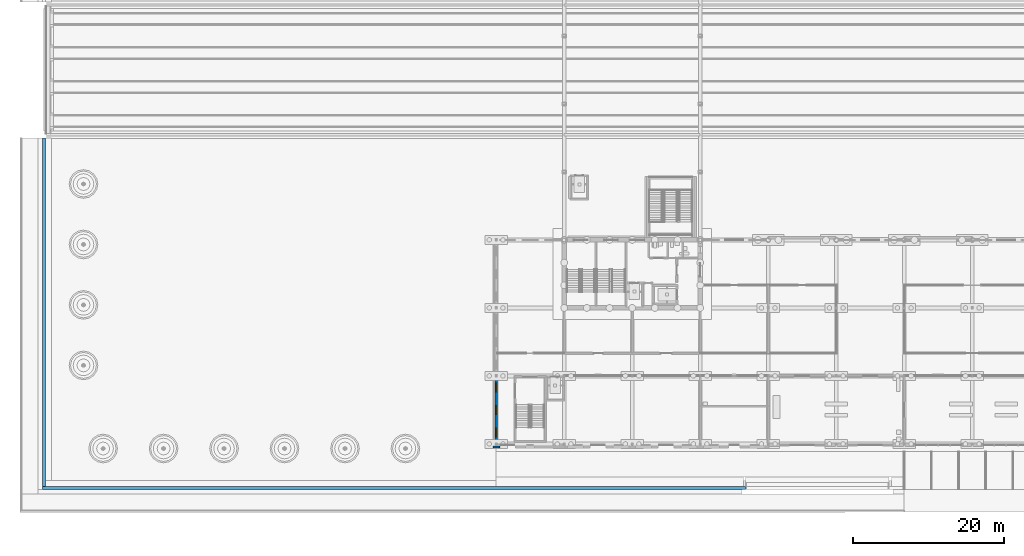
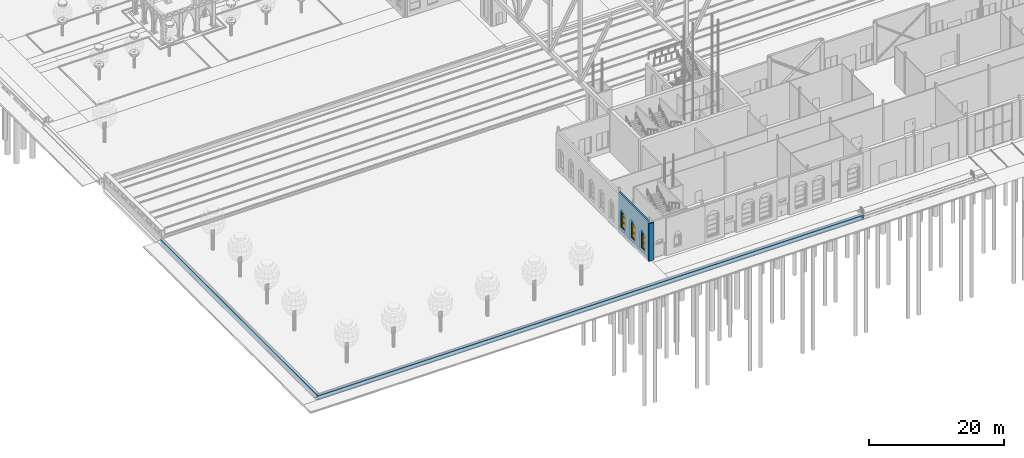
# One storey, part 86 of 250: 4 walls, 3 windows, 3 openings.
"""IFC4 building model written with IfcOpenShell, lengths in metres."""

from ifc_helpers import new_model, si_unit, direction, frame, frame_2d, origin, place, context, subcontext, project, spatial, polyline, rectangle, outline, extrude, material, layer, layer_set, type_object, element, fill, save


model = new_model("IFC4")

# Units and contexts
model_context = context("Model", 3, precision=1e-05, world=origin(), true_north=direction((0.0, 1.0)))
body_context = subcontext(model_context, "Body", "Model", "MODEL_VIEW")
ifc_project = project(units=[si_unit("LENGTHUNIT", "METRE"), si_unit("AREAUNIT", "SQUARE_METRE"), si_unit("VOLUMEUNIT", "CUBIC_METRE"), si_unit("PLANEANGLEUNIT", "RADIAN"), si_unit("MASSUNIT", "GRAM", prefix="KILO")], contexts=[model_context])

# Site, building, storey
site_placement = place(None, origin())
site = spatial("IfcSite", under=ifc_project, at=site_placement, CompositionType="ELEMENT")
building_placement = place(site_placement, origin())
building = spatial("IfcBuilding", under=site, at=building_placement, Name="Baradari Gate Terminus", CompositionType="ELEMENT")
storey_placement = place(building_placement, origin())
storey = spatial("IfcBuildingStorey", under=building, at=storey_placement, Name="L00", CompositionType="ELEMENT", Elevation=0.0)

# Walls
ifc_material_1 = material(Name="Laterite masonry", Category="masonry")
ifc_layer_1 = layer(ifc_material_1, 0.25)
ifc_layer_set_1 = layer_set([ifc_layer_1], Name="Laterite masonry")
wall_type_1 = type_object("IfcWallType", Name="Laterite masonry wall WP-1 250", PredefinedType="SOLIDWALL", material=ifc_layer_set_1)
wall_1_placement = place(storey_placement, frame((62.590087890625, 8.60498046875, 0.0), z_axis=(0.0, 0.0, 1.0), x_axis=(1.0, 0.0, 0.0)))
element("IfcWall", 1, at=wall_1_placement, inside=storey, type_object=wall_type_1, Name="Front course SS 1a 1", PredefinedType="SOLIDWALL", context=body_context, shape_type="SweptSolid", body=[
    extrude(outline(polyline([(0.0, 0.0), (0.860107421875, 0.0), (0.860107421875, 6.767333984375), (0.0, 6.767333984375), (0.0, 0.0)])), frame((0.0, 0.125, 0.0), z_axis=(0.0, -1.0, 0.0), x_axis=(1.0, 0.0, 0.0)), (0.0, 0.0, 1.0), 0.25),
])
ifc_material_2 = material(Name="Sandstone masonry", Category="masonry")
ifc_layer_2 = layer(ifc_material_2, 0.39990234375)
ifc_layer_set_2 = layer_set([ifc_layer_2], Name="Sandstone masonry")
wall_type_2 = type_object("IfcWallType", Name="Plinth retaining wall KW-1 400", PredefinedType="SOLIDWALL", material=ifc_layer_set_2)
wall_2_placement = place(storey_placement, frame((3.0, 3.199951171875, -0.800048828125), z_axis=(0.0, 0.0, 1.0), x_axis=(1.0, 0.0, 0.0)))
element("IfcWall", 2, at=wall_2_placement, inside=storey, type_object=wall_type_2, Name="Plinth retaining wall S1", PredefinedType="SOLIDWALL", context=body_context, shape_type="SweptSolid", body=[
    extrude(rectangle(XDim=93.0, YDim=0.39990234375, at=frame_2d((46.5, 0.0))), origin(), (0.0, 0.0, 1.0), 0.800048828125),
])
wall_3_placement = place(storey_placement, frame((3.199951171875, 3.39990234375, -0.800048828125), z_axis=(0.0, 0.0, 1.0), x_axis=(0.0, 1.0, 0.0)))
element("IfcWall", 3, at=wall_3_placement, inside=storey, type_object=wall_type_2, Name="Plinth retaining wall W1", PredefinedType="SOLIDWALL", context=body_context, shape_type="SweptSolid", body=[
    extrude(rectangle(XDim=46.10009765625, YDim=0.39990234375, at=frame_2d((23.050048828125, 0.0))), origin(), (0.0, 0.0, 1.0), 0.800048828125),
])

# Wall, openings, windows
ifc_material_3 = material(Name="Sandstone masonry", Category="masonry")
ifc_layer_3 = layer(ifc_material_3, 0.320068359375)
ifc_layer_set_3 = layer_set([ifc_layer_3], Name="Sandstone masonry")
wall_type_3 = type_object("IfcWallType", Name="Sandstone masonry wall WS-3 320", PredefinedType="SOLIDWALL", material=ifc_layer_set_3)
wall_4_placement = place(storey_placement, frame((63.0, 9.126953125, 0.0), z_axis=(0.0, 0.0, 1.0), x_axis=(0.0, 1.0, 0.0)))
wall_4 = element("IfcWall", 4, at=wall_4_placement, inside=storey, type_object=wall_type_3, Name="west end wall SW bay 2 L00", PredefinedType="SOLIDWALL", context=body_context, shape_type="SweptSolid", body=[
    extrude(rectangle(XDim=8.742919921875, YDim=0.320068359375, at=frame_2d((4.37158203125, 0.0))), origin(), (0.0, 0.0, 1.0), 6.767333984375),
])
opening_1_placement = place(wall_4_placement, frame((0.77294921875, 0.0, 0.89990234375)))
opening_1 = element("IfcOpeningElement", 5, at=opening_1_placement, cuts=wall_4, Name="Opening W7", PredefinedType="OPENING", context=body_context, shape_type="SweptSolid", body=[
    extrude(rectangle(XDim=1.199951171875, YDim=2.699951171875, at=frame_2d((0.60009765625, 1.35009765625))), frame((0.0, 0.169921875, 0.0), z_axis=(0.0, -1.0, 0.0), x_axis=(1.0, 0.0, 0.0)), (0.0, 0.0, 1.0), 0.340087890625),
])
opening_2_placement = place(wall_4_placement, frame((3.77294921875, 0.0, 0.89990234375)))
opening_2 = element("IfcOpeningElement", 6, at=opening_2_placement, cuts=wall_4, Name="Opening W7", PredefinedType="OPENING", context=body_context, shape_type="SweptSolid", body=[
    extrude(rectangle(XDim=1.199951171875, YDim=2.699951171875, at=frame_2d((0.60009765625, 1.35009765625))), frame((0.0, 0.169921875, 0.0), z_axis=(0.0, -1.0, 0.0), x_axis=(1.0, 0.0, 0.0)), (0.0, 0.0, 1.0), 0.340087890625),
])
opening_3_placement = place(wall_4_placement, frame((6.77294921875, 0.0, 0.89990234375)))
opening_3 = element("IfcOpeningElement", 7, at=opening_3_placement, cuts=wall_4, Name="Opening W7", PredefinedType="OPENING", context=body_context, shape_type="SweptSolid", body=[
    extrude(rectangle(XDim=1.199951171875, YDim=2.699951171875, at=frame_2d((0.60009765625, 1.35009765625))), frame((0.0, 0.169921875, 0.0), z_axis=(0.0, -1.0, 0.0), x_axis=(1.0, 0.0, 0.0)), (0.0, 0.0, 1.0), 0.340087890625),
])
ifc_material_4 = material(Name="Aluminium 6063-T6", Category="aluminium")
window_type = type_object("IfcWindowType", Name="Service block window W7 1200x2700", PartitioningType="DOUBLE_PANEL_HORIZONTAL", PredefinedType="WINDOW", material=ifc_material_4)
window_1_placement = place(opening_1_placement, origin())
window_1 = element("IfcWindow", 8, at=window_1_placement, inside=storey, type_object=window_type, Name="Window W7 SW/01", OverallHeight=2.7, OverallWidth=1.2, PartitioningType="DOUBLE_PANEL_HORIZONTAL", PredefinedType="WINDOW", context=body_context, shape_type="SweptSolid", body=[
    extrude(outline(polyline([(0.0, 0.0), (1.199951171875, 0.0), (1.199951171875, 1.969970703125), (1.195068359375, 2.05517578125), (1.180419921875, 2.13916015625), (1.15625, 2.220947265625), (1.123046875, 2.29931640625), (1.0810546875, 2.37353515625), (1.03076171875, 2.4423828125), (0.972900390625, 2.505126953125), (0.908203125, 2.560791015625), (0.837646484375, 2.608642578125), (0.76220703125, 2.648193359375), (0.6826171875, 2.6787109375), (0.599853515625, 2.699951171875), (0.517333984375, 2.6787109375), (0.437744140625, 2.648193359375), (0.3623046875, 2.608642578125), (0.291748046875, 2.560791015625), (0.22705078125, 2.505126953125), (0.169189453125, 2.4423828125), (0.118896484375, 2.37353515625), (0.076904296875, 2.29931640625), (0.043701171875, 2.220947265625), (0.01953125, 2.13916015625), (0.0048828125, 2.05517578125), (0.0, 1.969970703125), (0.0, 0.0)]), holes=[polyline([(0.070068359375, 0.070068359375), (1.1298828125, 0.070068359375), (1.1298828125, 1.969970703125), (1.12548828125, 2.0458984375), (1.11279296875, 2.12109375), (1.091552734375, 2.1943359375), (1.062255859375, 2.2646484375), (1.025390625, 2.3310546875), (0.98095703125, 2.39306640625), (0.929931640625, 2.44970703125), (0.873046875, 2.500244140625), (0.810791015625, 2.5439453125), (0.743896484375, 2.58056640625), (0.67333984375, 2.609375), (0.60009765625, 2.6298828125), (0.526611328125, 2.609375), (0.4560546875, 2.58056640625), (0.38916015625, 2.5439453125), (0.326904296875, 2.500244140625), (0.27001953125, 2.44970703125), (0.218994140625, 2.39306640625), (0.174560546875, 2.3310546875), (0.1376953125, 2.2646484375), (0.1083984375, 2.1943359375), (0.087158203125, 2.12109375), (0.074462890625, 2.0458984375), (0.070068359375, 1.969970703125), (0.070068359375, 0.070068359375)])]), frame((0.0, 0.030029296875, 0.0), z_axis=(0.0, -1.0, 0.0), x_axis=(1.0, 0.0, 0.0)), (0.0, 0.0, 1.0), 0.06005859375),
    extrude(outline(polyline([(0.0, 1.969970703125), (0.0048828125, 2.05517578125), (0.01953125, 2.13916015625), (0.043701171875, 2.220947265625), (0.076904296875, 2.29931640625), (0.118896484375, 2.37353515625), (0.169189453125, 2.4423828125), (0.22705078125, 2.505126953125), (0.291748046875, 2.560791015625), (0.3623046875, 2.608642578125), (0.437744140625, 2.648193359375), (0.517333984375, 2.6787109375), (0.599853515625, 2.699951171875), (0.0, 2.699951171875), (0.0, 1.969970703125)])), frame((0.0, 0.028076171875, 0.0), z_axis=(0.0, -1.0, 0.0), x_axis=(1.0, 0.0, 0.0)), (0.0, 0.0, 1.0), 0.05615234375),
    extrude(outline(polyline([(0.599853515625, 2.699951171875), (0.6826171875, 2.6787109375), (0.76220703125, 2.648193359375), (0.837646484375, 2.608642578125), (0.908203125, 2.560791015625), (0.972900390625, 2.505126953125), (1.03076171875, 2.4423828125), (1.0810546875, 2.37353515625), (1.123046875, 2.29931640625), (1.15625, 2.220947265625), (1.180419921875, 2.13916015625), (1.195068359375, 2.05517578125), (1.199951171875, 1.969970703125), (1.199951171875, 2.699951171875), (0.599853515625, 2.699951171875)])), frame((0.0, 0.027099609375, 0.0), z_axis=(0.0, -1.0, 0.0), x_axis=(1.0, 0.0, 0.0)), (0.0, 0.0, 1.0), 0.05419921875),
    extrude(outline(polyline([(1.127685546875, 2.010009765625), (0.072265625, 2.010009765625), (0.070068359375, 1.969970703125), (0.070068359375, 1.929931640625), (1.1298828125, 1.929931640625), (1.1298828125, 1.969970703125), (1.127685546875, 2.010009765625)])), frame((0.0, 0.02099609375, 0.0), z_axis=(0.0, -1.0, 0.0), x_axis=(1.0, 0.0, 0.0)), (0.0, 0.0, 1.0), 0.0419921875),
    extrude(rectangle(XDim=1.059814453125, YDim=0.0400390625, at=frame_2d((0.60009765625, 1.0))), frame((0.0, 0.021484375, 0.0), z_axis=(0.0, -1.0, 0.0), x_axis=(1.0, 0.0, 0.0)), (0.0, 0.0, 1.0), 0.04296875),
    extrude(outline(polyline([(0.070068359375, 0.070068359375), (1.1298828125, 0.070068359375), (1.1298828125, 0.97998046875), (0.070068359375, 0.97998046875), (0.070068359375, 0.070068359375)]), holes=[polyline([(0.10009765625, 0.10009765625), (1.099853515625, 0.10009765625), (1.099853515625, 0.949951171875), (0.10009765625, 0.949951171875), (0.10009765625, 0.10009765625)])]), frame((0.0, 0.0224609375, 0.0), z_axis=(0.0, -1.0, 0.0), x_axis=(1.0, 0.0, 0.0)), (0.0, 0.0, 1.0), 0.044921875),
    extrude(rectangle(XDim=0.999755859375, YDim=0.849853515625, at=frame_2d((0.60009765625, 0.52490234375))), frame((0.0, 0.006103515625, 0.0), z_axis=(0.0, -1.0, 0.0), x_axis=(1.0, 0.0, 0.0)), (0.0, 0.0, 1.0), 0.01220703125),
    extrude(outline(polyline([(0.070068359375, 1.02001953125), (1.1298828125, 1.02001953125), (1.1298828125, 1.929931640625), (0.070068359375, 1.929931640625), (0.070068359375, 1.02001953125)]), holes=[polyline([(0.10009765625, 1.050048828125), (1.099853515625, 1.050048828125), (1.099853515625, 1.89990234375), (0.10009765625, 1.89990234375), (0.10009765625, 1.050048828125)])]), frame((0.0, 0.0224609375, 0.0), z_axis=(0.0, -1.0, 0.0), x_axis=(1.0, 0.0, 0.0)), (0.0, 0.0, 1.0), 0.044921875),
    extrude(rectangle(XDim=0.999755859375, YDim=0.849853515625, at=frame_2d((0.60009765625, 1.47509765625))), frame((0.0, 0.006103515625, 0.0), z_axis=(0.0, -1.0, 0.0), x_axis=(1.0, 0.0, 0.0)), (0.0, 0.0, 1.0), 0.01220703125),
    extrude(outline(polyline([(0.072265625, 2.010009765625), (1.127685546875, 2.010009765625), (1.12548828125, 2.0458984375), (1.11279296875, 2.12109375), (1.091552734375, 2.1943359375), (1.062255859375, 2.2646484375), (1.025390625, 2.3310546875), (0.98095703125, 2.39306640625), (0.929931640625, 2.44970703125), (0.873046875, 2.500244140625), (0.810791015625, 2.5439453125), (0.743896484375, 2.58056640625), (0.67333984375, 2.609375), (0.60009765625, 2.6298828125), (0.526611328125, 2.609375), (0.4560546875, 2.58056640625), (0.38916015625, 2.5439453125), (0.326904296875, 2.500244140625), (0.27001953125, 2.44970703125), (0.218994140625, 2.39306640625), (0.174560546875, 2.3310546875), (0.1376953125, 2.2646484375), (0.1083984375, 2.1943359375), (0.087158203125, 2.12109375), (0.074462890625, 2.0458984375), (0.072265625, 2.010009765625)]), holes=[polyline([(0.10986328125, 2.044921875), (0.121337890625, 2.11328125), (0.141357421875, 2.1826171875), (0.169189453125, 2.249267578125), (0.2041015625, 2.312255859375), (0.246337890625, 2.37109375), (0.294677734375, 2.4248046875), (0.3486328125, 2.47265625), (0.40771484375, 2.51416015625), (0.47119140625, 2.548828125), (0.5380859375, 2.576171875), (0.60009765625, 2.593505859375), (0.661865234375, 2.576171875), (0.728759765625, 2.548828125), (0.792236328125, 2.51416015625), (0.851318359375, 2.47265625), (0.9052734375, 2.4248046875), (0.95361328125, 2.37109375), (0.995849609375, 2.312255859375), (1.03076171875, 2.249267578125), (1.05859375, 2.1826171875), (1.07861328125, 2.11328125), (1.090087890625, 2.044921875), (0.10986328125, 2.044921875)])]), frame((0.0, 0.0224609375, 0.0), z_axis=(0.0, -1.0, 0.0), x_axis=(1.0, 0.0, 0.0)), (0.0, 0.0, 1.0), 0.044921875),
    extrude(outline(polyline([(1.090087890625, 2.044921875), (1.07861328125, 2.11328125), (1.05859375, 2.1826171875), (1.03076171875, 2.249267578125), (0.995849609375, 2.312255859375), (0.95361328125, 2.37109375), (0.9052734375, 2.4248046875), (0.851318359375, 2.47265625), (0.792236328125, 2.51416015625), (0.728759765625, 2.548828125), (0.661865234375, 2.576171875), (0.60009765625, 2.593505859375), (0.5380859375, 2.576171875), (0.47119140625, 2.548828125), (0.40771484375, 2.51416015625), (0.3486328125, 2.47265625), (0.294677734375, 2.4248046875), (0.246337890625, 2.37109375), (0.2041015625, 2.312255859375), (0.169189453125, 2.249267578125), (0.141357421875, 2.1826171875), (0.121337890625, 2.11328125), (0.10986328125, 2.044921875), (1.090087890625, 2.044921875)])), frame((0.0, 0.006103515625, 0.0), z_axis=(0.0, -1.0, 0.0), x_axis=(1.0, 0.0, 0.0)), (0.0, 0.0, 1.0), 0.01220703125),
])
fill(opening_1, window_1)
window_2_placement = place(opening_2_placement, origin())
window_2 = element("IfcWindow", 9, at=window_2_placement, inside=storey, type_object=window_type, Name="Window W7 SW/01", OverallHeight=2.7, OverallWidth=1.2, PartitioningType="DOUBLE_PANEL_HORIZONTAL", PredefinedType="WINDOW", context=body_context, shape_type="SweptSolid", body=[
    extrude(outline(polyline([(0.0, 0.0), (1.199951171875, 0.0), (1.199951171875, 1.969970703125), (1.195068359375, 2.05517578125), (1.180419921875, 2.13916015625), (1.15625, 2.220947265625), (1.123046875, 2.29931640625), (1.0810546875, 2.37353515625), (1.03076171875, 2.4423828125), (0.972900390625, 2.505126953125), (0.908203125, 2.560791015625), (0.837646484375, 2.608642578125), (0.76220703125, 2.648193359375), (0.6826171875, 2.6787109375), (0.599853515625, 2.699951171875), (0.517333984375, 2.6787109375), (0.437744140625, 2.648193359375), (0.3623046875, 2.608642578125), (0.291748046875, 2.560791015625), (0.22705078125, 2.505126953125), (0.169189453125, 2.4423828125), (0.118896484375, 2.37353515625), (0.076904296875, 2.29931640625), (0.043701171875, 2.220947265625), (0.01953125, 2.13916015625), (0.0048828125, 2.05517578125), (0.0, 1.969970703125), (0.0, 0.0)]), holes=[polyline([(0.070068359375, 0.070068359375), (1.1298828125, 0.070068359375), (1.1298828125, 1.969970703125), (1.12548828125, 2.0458984375), (1.11279296875, 2.12109375), (1.091552734375, 2.1943359375), (1.062255859375, 2.2646484375), (1.025390625, 2.3310546875), (0.98095703125, 2.39306640625), (0.929931640625, 2.44970703125), (0.873046875, 2.500244140625), (0.810791015625, 2.5439453125), (0.743896484375, 2.58056640625), (0.67333984375, 2.609375), (0.60009765625, 2.6298828125), (0.526611328125, 2.609375), (0.4560546875, 2.58056640625), (0.38916015625, 2.5439453125), (0.326904296875, 2.500244140625), (0.27001953125, 2.44970703125), (0.218994140625, 2.39306640625), (0.174560546875, 2.3310546875), (0.1376953125, 2.2646484375), (0.1083984375, 2.1943359375), (0.087158203125, 2.12109375), (0.074462890625, 2.0458984375), (0.070068359375, 1.969970703125), (0.070068359375, 0.070068359375)])]), frame((0.0, 0.030029296875, 0.0), z_axis=(0.0, -1.0, 0.0), x_axis=(1.0, 0.0, 0.0)), (0.0, 0.0, 1.0), 0.06005859375),
    extrude(outline(polyline([(0.0, 1.969970703125), (0.0048828125, 2.05517578125), (0.01953125, 2.13916015625), (0.043701171875, 2.220947265625), (0.076904296875, 2.29931640625), (0.118896484375, 2.37353515625), (0.169189453125, 2.4423828125), (0.22705078125, 2.505126953125), (0.291748046875, 2.560791015625), (0.3623046875, 2.608642578125), (0.437744140625, 2.648193359375), (0.517333984375, 2.6787109375), (0.599853515625, 2.699951171875), (0.0, 2.699951171875), (0.0, 1.969970703125)])), frame((0.0, 0.028076171875, 0.0), z_axis=(0.0, -1.0, 0.0), x_axis=(1.0, 0.0, 0.0)), (0.0, 0.0, 1.0), 0.05615234375),
    extrude(outline(polyline([(0.599853515625, 2.699951171875), (0.6826171875, 2.6787109375), (0.76220703125, 2.648193359375), (0.837646484375, 2.608642578125), (0.908203125, 2.560791015625), (0.972900390625, 2.505126953125), (1.03076171875, 2.4423828125), (1.0810546875, 2.37353515625), (1.123046875, 2.29931640625), (1.15625, 2.220947265625), (1.180419921875, 2.13916015625), (1.195068359375, 2.05517578125), (1.199951171875, 1.969970703125), (1.199951171875, 2.699951171875), (0.599853515625, 2.699951171875)])), frame((0.0, 0.027099609375, 0.0), z_axis=(0.0, -1.0, 0.0), x_axis=(1.0, 0.0, 0.0)), (0.0, 0.0, 1.0), 0.05419921875),
    extrude(outline(polyline([(1.127685546875, 2.010009765625), (0.072265625, 2.010009765625), (0.070068359375, 1.969970703125), (0.070068359375, 1.929931640625), (1.1298828125, 1.929931640625), (1.1298828125, 1.969970703125), (1.127685546875, 2.010009765625)])), frame((0.0, 0.02099609375, 0.0), z_axis=(0.0, -1.0, 0.0), x_axis=(1.0, 0.0, 0.0)), (0.0, 0.0, 1.0), 0.0419921875),
    extrude(rectangle(XDim=1.059814453125, YDim=0.0400390625, at=frame_2d((0.60009765625, 1.0))), frame((0.0, 0.021484375, 0.0), z_axis=(0.0, -1.0, 0.0), x_axis=(1.0, 0.0, 0.0)), (0.0, 0.0, 1.0), 0.04296875),
    extrude(outline(polyline([(0.070068359375, 0.070068359375), (1.1298828125, 0.070068359375), (1.1298828125, 0.97998046875), (0.070068359375, 0.97998046875), (0.070068359375, 0.070068359375)]), holes=[polyline([(0.10009765625, 0.10009765625), (1.099853515625, 0.10009765625), (1.099853515625, 0.949951171875), (0.10009765625, 0.949951171875), (0.10009765625, 0.10009765625)])]), frame((0.0, 0.0224609375, 0.0), z_axis=(0.0, -1.0, 0.0), x_axis=(1.0, 0.0, 0.0)), (0.0, 0.0, 1.0), 0.044921875),
    extrude(rectangle(XDim=0.999755859375, YDim=0.849853515625, at=frame_2d((0.60009765625, 0.52490234375))), frame((0.0, 0.006103515625, 0.0), z_axis=(0.0, -1.0, 0.0), x_axis=(1.0, 0.0, 0.0)), (0.0, 0.0, 1.0), 0.01220703125),
    extrude(outline(polyline([(0.070068359375, 1.02001953125), (1.1298828125, 1.02001953125), (1.1298828125, 1.929931640625), (0.070068359375, 1.929931640625), (0.070068359375, 1.02001953125)]), holes=[polyline([(0.10009765625, 1.050048828125), (1.099853515625, 1.050048828125), (1.099853515625, 1.89990234375), (0.10009765625, 1.89990234375), (0.10009765625, 1.050048828125)])]), frame((0.0, 0.0224609375, 0.0), z_axis=(0.0, -1.0, 0.0), x_axis=(1.0, 0.0, 0.0)), (0.0, 0.0, 1.0), 0.044921875),
    extrude(rectangle(XDim=0.999755859375, YDim=0.849853515625, at=frame_2d((0.60009765625, 1.47509765625))), frame((0.0, 0.006103515625, 0.0), z_axis=(0.0, -1.0, 0.0), x_axis=(1.0, 0.0, 0.0)), (0.0, 0.0, 1.0), 0.01220703125),
    extrude(outline(polyline([(0.072265625, 2.010009765625), (1.127685546875, 2.010009765625), (1.12548828125, 2.0458984375), (1.11279296875, 2.12109375), (1.091552734375, 2.1943359375), (1.062255859375, 2.2646484375), (1.025390625, 2.3310546875), (0.98095703125, 2.39306640625), (0.929931640625, 2.44970703125), (0.873046875, 2.500244140625), (0.810791015625, 2.5439453125), (0.743896484375, 2.58056640625), (0.67333984375, 2.609375), (0.60009765625, 2.6298828125), (0.526611328125, 2.609375), (0.4560546875, 2.58056640625), (0.38916015625, 2.5439453125), (0.326904296875, 2.500244140625), (0.27001953125, 2.44970703125), (0.218994140625, 2.39306640625), (0.174560546875, 2.3310546875), (0.1376953125, 2.2646484375), (0.1083984375, 2.1943359375), (0.087158203125, 2.12109375), (0.074462890625, 2.0458984375), (0.072265625, 2.010009765625)]), holes=[polyline([(0.10986328125, 2.044921875), (0.121337890625, 2.11328125), (0.141357421875, 2.1826171875), (0.169189453125, 2.249267578125), (0.2041015625, 2.312255859375), (0.246337890625, 2.37109375), (0.294677734375, 2.4248046875), (0.3486328125, 2.47265625), (0.40771484375, 2.51416015625), (0.47119140625, 2.548828125), (0.5380859375, 2.576171875), (0.60009765625, 2.593505859375), (0.661865234375, 2.576171875), (0.728759765625, 2.548828125), (0.792236328125, 2.51416015625), (0.851318359375, 2.47265625), (0.9052734375, 2.4248046875), (0.95361328125, 2.37109375), (0.995849609375, 2.312255859375), (1.03076171875, 2.249267578125), (1.05859375, 2.1826171875), (1.07861328125, 2.11328125), (1.090087890625, 2.044921875), (0.10986328125, 2.044921875)])]), frame((0.0, 0.0224609375, 0.0), z_axis=(0.0, -1.0, 0.0), x_axis=(1.0, 0.0, 0.0)), (0.0, 0.0, 1.0), 0.044921875),
    extrude(outline(polyline([(1.090087890625, 2.044921875), (1.07861328125, 2.11328125), (1.05859375, 2.1826171875), (1.03076171875, 2.249267578125), (0.995849609375, 2.312255859375), (0.95361328125, 2.37109375), (0.9052734375, 2.4248046875), (0.851318359375, 2.47265625), (0.792236328125, 2.51416015625), (0.728759765625, 2.548828125), (0.661865234375, 2.576171875), (0.60009765625, 2.593505859375), (0.5380859375, 2.576171875), (0.47119140625, 2.548828125), (0.40771484375, 2.51416015625), (0.3486328125, 2.47265625), (0.294677734375, 2.4248046875), (0.246337890625, 2.37109375), (0.2041015625, 2.312255859375), (0.169189453125, 2.249267578125), (0.141357421875, 2.1826171875), (0.121337890625, 2.11328125), (0.10986328125, 2.044921875), (1.090087890625, 2.044921875)])), frame((0.0, 0.006103515625, 0.0), z_axis=(0.0, -1.0, 0.0), x_axis=(1.0, 0.0, 0.0)), (0.0, 0.0, 1.0), 0.01220703125),
])
fill(opening_2, window_2)
window_3_placement = place(opening_3_placement, origin())
window_3 = element("IfcWindow", 10, at=window_3_placement, inside=storey, type_object=window_type, Name="Window W7 SW/01", OverallHeight=2.7, OverallWidth=1.2, PartitioningType="DOUBLE_PANEL_HORIZONTAL", PredefinedType="WINDOW", context=body_context, shape_type="SweptSolid", body=[
    extrude(outline(polyline([(0.0, 0.0), (1.199951171875, 0.0), (1.199951171875, 1.969970703125), (1.195068359375, 2.05517578125), (1.180419921875, 2.13916015625), (1.15625, 2.220947265625), (1.123046875, 2.29931640625), (1.0810546875, 2.37353515625), (1.03076171875, 2.4423828125), (0.972900390625, 2.505126953125), (0.908203125, 2.560791015625), (0.837646484375, 2.608642578125), (0.76220703125, 2.648193359375), (0.6826171875, 2.6787109375), (0.599853515625, 2.699951171875), (0.517333984375, 2.6787109375), (0.437744140625, 2.648193359375), (0.3623046875, 2.608642578125), (0.291748046875, 2.560791015625), (0.22705078125, 2.505126953125), (0.169189453125, 2.4423828125), (0.118896484375, 2.37353515625), (0.076904296875, 2.29931640625), (0.043701171875, 2.220947265625), (0.01953125, 2.13916015625), (0.0048828125, 2.05517578125), (0.0, 1.969970703125), (0.0, 0.0)]), holes=[polyline([(0.070068359375, 0.070068359375), (1.1298828125, 0.070068359375), (1.1298828125, 1.969970703125), (1.12548828125, 2.0458984375), (1.11279296875, 2.12109375), (1.091552734375, 2.1943359375), (1.062255859375, 2.2646484375), (1.025390625, 2.3310546875), (0.98095703125, 2.39306640625), (0.929931640625, 2.44970703125), (0.873046875, 2.500244140625), (0.810791015625, 2.5439453125), (0.743896484375, 2.58056640625), (0.67333984375, 2.609375), (0.60009765625, 2.6298828125), (0.526611328125, 2.609375), (0.4560546875, 2.58056640625), (0.38916015625, 2.5439453125), (0.326904296875, 2.500244140625), (0.27001953125, 2.44970703125), (0.218994140625, 2.39306640625), (0.174560546875, 2.3310546875), (0.1376953125, 2.2646484375), (0.1083984375, 2.1943359375), (0.087158203125, 2.12109375), (0.074462890625, 2.0458984375), (0.070068359375, 1.969970703125), (0.070068359375, 0.070068359375)])]), frame((0.0, 0.030029296875, 0.0), z_axis=(0.0, -1.0, 0.0), x_axis=(1.0, 0.0, 0.0)), (0.0, 0.0, 1.0), 0.06005859375),
    extrude(outline(polyline([(0.0, 1.969970703125), (0.0048828125, 2.05517578125), (0.01953125, 2.13916015625), (0.043701171875, 2.220947265625), (0.076904296875, 2.29931640625), (0.118896484375, 2.37353515625), (0.169189453125, 2.4423828125), (0.22705078125, 2.505126953125), (0.291748046875, 2.560791015625), (0.3623046875, 2.608642578125), (0.437744140625, 2.648193359375), (0.517333984375, 2.6787109375), (0.599853515625, 2.699951171875), (0.0, 2.699951171875), (0.0, 1.969970703125)])), frame((0.0, 0.028076171875, 0.0), z_axis=(0.0, -1.0, 0.0), x_axis=(1.0, 0.0, 0.0)), (0.0, 0.0, 1.0), 0.05615234375),
    extrude(outline(polyline([(0.599853515625, 2.699951171875), (0.6826171875, 2.6787109375), (0.76220703125, 2.648193359375), (0.837646484375, 2.608642578125), (0.908203125, 2.560791015625), (0.972900390625, 2.505126953125), (1.03076171875, 2.4423828125), (1.0810546875, 2.37353515625), (1.123046875, 2.29931640625), (1.15625, 2.220947265625), (1.180419921875, 2.13916015625), (1.195068359375, 2.05517578125), (1.199951171875, 1.969970703125), (1.199951171875, 2.699951171875), (0.599853515625, 2.699951171875)])), frame((0.0, 0.027099609375, 0.0), z_axis=(0.0, -1.0, 0.0), x_axis=(1.0, 0.0, 0.0)), (0.0, 0.0, 1.0), 0.05419921875),
    extrude(outline(polyline([(1.127685546875, 2.010009765625), (0.072265625, 2.010009765625), (0.070068359375, 1.969970703125), (0.070068359375, 1.929931640625), (1.1298828125, 1.929931640625), (1.1298828125, 1.969970703125), (1.127685546875, 2.010009765625)])), frame((0.0, 0.02099609375, 0.0), z_axis=(0.0, -1.0, 0.0), x_axis=(1.0, 0.0, 0.0)), (0.0, 0.0, 1.0), 0.0419921875),
    extrude(rectangle(XDim=1.059814453125, YDim=0.0400390625, at=frame_2d((0.60009765625, 1.0))), frame((0.0, 0.021484375, 0.0), z_axis=(0.0, -1.0, 0.0), x_axis=(1.0, 0.0, 0.0)), (0.0, 0.0, 1.0), 0.04296875),
    extrude(outline(polyline([(0.070068359375, 0.070068359375), (1.1298828125, 0.070068359375), (1.1298828125, 0.97998046875), (0.070068359375, 0.97998046875), (0.070068359375, 0.070068359375)]), holes=[polyline([(0.10009765625, 0.10009765625), (1.099853515625, 0.10009765625), (1.099853515625, 0.949951171875), (0.10009765625, 0.949951171875), (0.10009765625, 0.10009765625)])]), frame((0.0, 0.0224609375, 0.0), z_axis=(0.0, -1.0, 0.0), x_axis=(1.0, 0.0, 0.0)), (0.0, 0.0, 1.0), 0.044921875),
    extrude(rectangle(XDim=0.999755859375, YDim=0.849853515625, at=frame_2d((0.60009765625, 0.52490234375))), frame((0.0, 0.006103515625, 0.0), z_axis=(0.0, -1.0, 0.0), x_axis=(1.0, 0.0, 0.0)), (0.0, 0.0, 1.0), 0.01220703125),
    extrude(outline(polyline([(0.070068359375, 1.02001953125), (1.1298828125, 1.02001953125), (1.1298828125, 1.929931640625), (0.070068359375, 1.929931640625), (0.070068359375, 1.02001953125)]), holes=[polyline([(0.10009765625, 1.050048828125), (1.099853515625, 1.050048828125), (1.099853515625, 1.89990234375), (0.10009765625, 1.89990234375), (0.10009765625, 1.050048828125)])]), frame((0.0, 0.0224609375, 0.0), z_axis=(0.0, -1.0, 0.0), x_axis=(1.0, 0.0, 0.0)), (0.0, 0.0, 1.0), 0.044921875),
    extrude(rectangle(XDim=0.999755859375, YDim=0.849853515625, at=frame_2d((0.60009765625, 1.47509765625))), frame((0.0, 0.006103515625, 0.0), z_axis=(0.0, -1.0, 0.0), x_axis=(1.0, 0.0, 0.0)), (0.0, 0.0, 1.0), 0.01220703125),
    extrude(outline(polyline([(0.072265625, 2.010009765625), (1.127685546875, 2.010009765625), (1.12548828125, 2.0458984375), (1.11279296875, 2.12109375), (1.091552734375, 2.1943359375), (1.062255859375, 2.2646484375), (1.025390625, 2.3310546875), (0.98095703125, 2.39306640625), (0.929931640625, 2.44970703125), (0.873046875, 2.500244140625), (0.810791015625, 2.5439453125), (0.743896484375, 2.58056640625), (0.67333984375, 2.609375), (0.60009765625, 2.6298828125), (0.526611328125, 2.609375), (0.4560546875, 2.58056640625), (0.38916015625, 2.5439453125), (0.326904296875, 2.500244140625), (0.27001953125, 2.44970703125), (0.218994140625, 2.39306640625), (0.174560546875, 2.3310546875), (0.1376953125, 2.2646484375), (0.1083984375, 2.1943359375), (0.087158203125, 2.12109375), (0.074462890625, 2.0458984375), (0.072265625, 2.010009765625)]), holes=[polyline([(0.10986328125, 2.044921875), (0.121337890625, 2.11328125), (0.141357421875, 2.1826171875), (0.169189453125, 2.249267578125), (0.2041015625, 2.312255859375), (0.246337890625, 2.37109375), (0.294677734375, 2.4248046875), (0.3486328125, 2.47265625), (0.40771484375, 2.51416015625), (0.47119140625, 2.548828125), (0.5380859375, 2.576171875), (0.60009765625, 2.593505859375), (0.661865234375, 2.576171875), (0.728759765625, 2.548828125), (0.792236328125, 2.51416015625), (0.851318359375, 2.47265625), (0.9052734375, 2.4248046875), (0.95361328125, 2.37109375), (0.995849609375, 2.312255859375), (1.03076171875, 2.249267578125), (1.05859375, 2.1826171875), (1.07861328125, 2.11328125), (1.090087890625, 2.044921875), (0.10986328125, 2.044921875)])]), frame((0.0, 0.0224609375, 0.0), z_axis=(0.0, -1.0, 0.0), x_axis=(1.0, 0.0, 0.0)), (0.0, 0.0, 1.0), 0.044921875),
    extrude(outline(polyline([(1.090087890625, 2.044921875), (1.07861328125, 2.11328125), (1.05859375, 2.1826171875), (1.03076171875, 2.249267578125), (0.995849609375, 2.312255859375), (0.95361328125, 2.37109375), (0.9052734375, 2.4248046875), (0.851318359375, 2.47265625), (0.792236328125, 2.51416015625), (0.728759765625, 2.548828125), (0.661865234375, 2.576171875), (0.60009765625, 2.593505859375), (0.5380859375, 2.576171875), (0.47119140625, 2.548828125), (0.40771484375, 2.51416015625), (0.3486328125, 2.47265625), (0.294677734375, 2.4248046875), (0.246337890625, 2.37109375), (0.2041015625, 2.312255859375), (0.169189453125, 2.249267578125), (0.141357421875, 2.1826171875), (0.121337890625, 2.11328125), (0.10986328125, 2.044921875), (1.090087890625, 2.044921875)])), frame((0.0, 0.006103515625, 0.0), z_axis=(0.0, -1.0, 0.0), x_axis=(1.0, 0.0, 0.0)), (0.0, 0.0, 1.0), 0.01220703125),
])
fill(opening_3, window_3)

save(model, "model.ifc")
